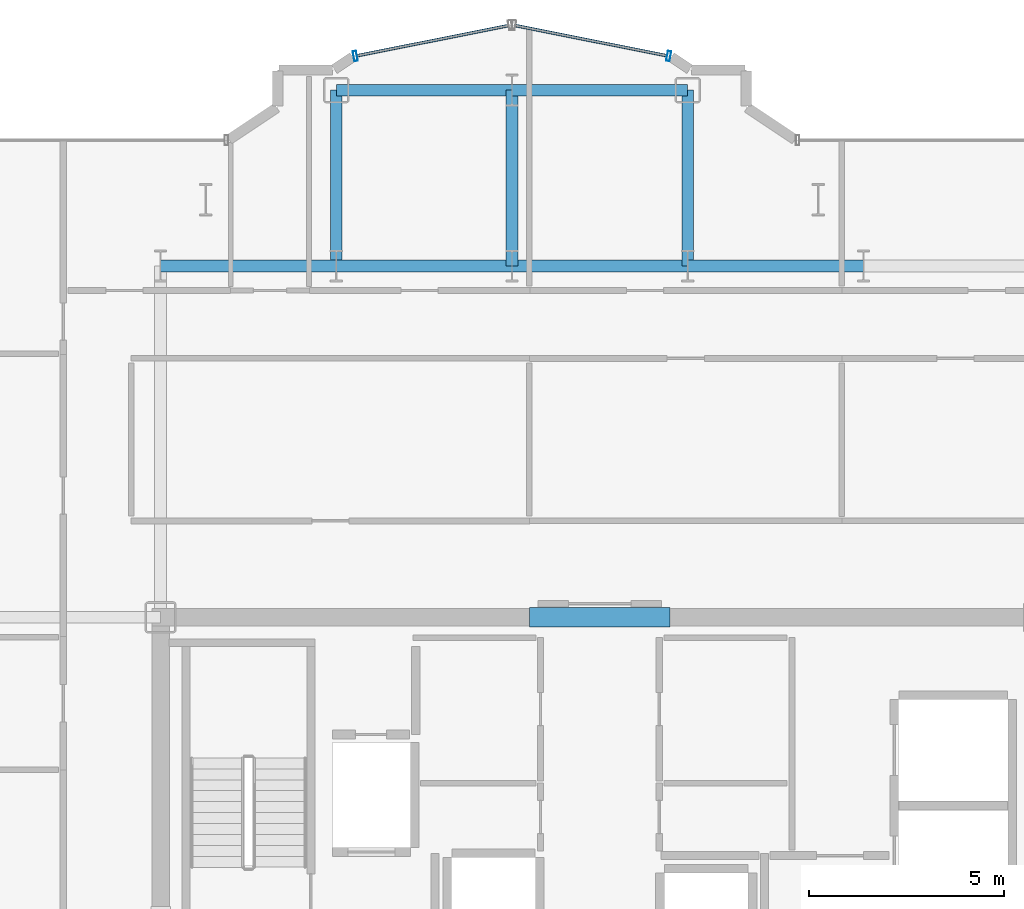
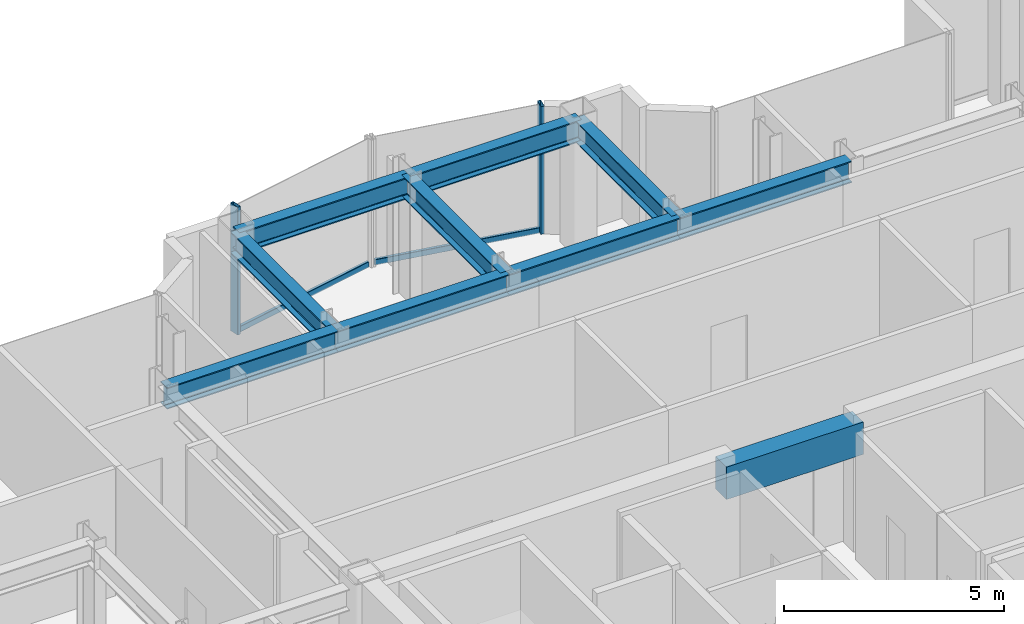
# One storey, part 9 of 20: 10 beams, 4 members, 2 elements without a shape of their own.
"""IFC4 building model written with IfcOpenShell, lengths in metres."""

from ifc_helpers import new_model, si_unit, direction, frame, origin, origin_2d, place, context, subcontext, project, spatial, rectangle, hollow_rectangle, i_section, extrude, source, transform, mapped, material, layer, layer_set, material_profile, profile_set, type_object, element, aggregate, save


model = new_model("IFC4")

# Units and contexts
model_context = context("Model", 3, precision=1e-05, world=origin(), true_north=direction((0.0, 1.0)))
body_context = subcontext(model_context, "Body", "Model", "MODEL_VIEW")
ifc_project = project(units=[si_unit("LENGTHUNIT", "METRE"), si_unit("AREAUNIT", "SQUARE_METRE"), si_unit("VOLUMEUNIT", "CUBIC_METRE"), si_unit("PLANEANGLEUNIT", "RADIAN"), si_unit("MASSUNIT", "GRAM", prefix="KILO")], contexts=[model_context])

# Site, building, storey
site_placement = place(None, origin())
site = spatial("IfcSite", under=ifc_project, at=site_placement, CompositionType="ELEMENT")
building_placement = place(site_placement, origin())
building = spatial("IfcBuilding", under=site, at=building_placement, Name="Nefas-Gora Pilgrimage Tower", CompositionType="ELEMENT")
storey_placement = place(building_placement, frame((0.0, 0.0, 237.0)))
storey = spatial("IfcBuildingStorey", under=building, at=storey_placement, Name="L59", CompositionType="ELEMENT", Elevation=237.0)

# Beams
ifc_material_1 = material(Name="Concrete C50/60", Category="concrete")
ifc_material_profile_1 = material_profile(ifc_material_1, rectangle(XDim=0.5, YDim=0.89990234375, at=origin_2d()), Name="RC 500x900")
ifc_profile_set_1 = profile_set([ifc_material_profile_1], Name="Concrete C50/60")
beam_type_1 = type_object("IfcBeamType", Name="BM-LIN-RC900", PredefinedType="LINTEL", material=ifc_profile_set_1)
shared_shape_1 = source(origin(), body_context, "Body", "SweptSolid", [
    extrude(rectangle(XDim=0.5, YDim=0.89990234375, at=origin_2d()), origin(), (0.0, 0.0, 1.0), 3.60009765625),
])
beam_placement = place(storey_placement, frame((-1.800048828125, 9.0, 3.10009765625), z_axis=(1.0, 0.0, 0.0), x_axis=(0.0, 1.0, 0.0)))
element("IfcBeam", 1, at=beam_placement, inside=storey, type_object=beam_type_1, Name="L59 Core Coupling Lintel Beam N", PredefinedType="LINTEL", context=body_context, shape_type="MappedRepresentation", body=[
    mapped(shared_shape_1, transform((0.0, 0.0, 0.0), x_axis=(1.0, 0.0, 0.0), y_axis=(0.0, 1.0, 0.0), z_axis=(0.0, 0.0, 1.0), scale=1.0)),
])
ifc_material_2 = material(Name="Steel S355", Category="steel")
ifc_material_profile_2 = material_profile(ifc_material_2, i_section(OverallWidth=0.300048828125, OverallDepth=0.60009765625, WebThickness=0.015380859375, FlangeThickness=0.030029296875, FilletRadius=0.027099609375, at=origin_2d()), Name="HEB 600")
ifc_profile_set_2 = profile_set([ifc_material_profile_2], Name="Steel S355")
beam_type_2 = type_object("IfcBeamType", Name="BM-GIR-HEB600", PredefinedType="BEAM", material=ifc_profile_set_2)
shared_shape_2 = source(origin(), body_context, "Body", "SweptSolid", [
    extrude(i_section(OverallWidth=0.300048828125, OverallDepth=0.60009765625, WebThickness=0.015380859375, FlangeThickness=0.030029296875, FilletRadius=0.027099609375, at=origin_2d()), origin(), (0.0, 0.0, 1.0), 4.5),
])
for number, where, z_axis, x_axis, name in (
    (2, (-11.25, 18.0, 3.25), (1.0, 0.0, 0.0), (0.0, 1.0, 0.0), "L59 G-04 beam"),
    (3, (-6.75, 18.0, 3.25), (0.0, 1.0, 0.0), (-1.0, 0.0, 0.0), "L59 G-04 beam"),
    (4, (-6.75, 18.0, 3.25), (1.0, 0.0, 0.0), (0.0, 1.0, 0.0), "L59 G-04 beam"),
    (5, (-6.75, 22.5, 3.25), (1.0, 0.0, 0.0), (0.0, 1.0, 0.0), "L59 G-04 beam"),
    (6, (-2.25, 18.0, 3.25), (0.0, 1.0, 0.0), (-1.0, 0.0, 0.0), "L59 G-04 beam"),
    (7, (-2.25, 18.0, 3.25), (1.0, 0.0, 0.0), (0.0, 1.0, 0.0), "L59 G-04 beam"),
    (8, (-2.25, 22.5, 3.25), (1.0, 0.0, 0.0), (0.0, 1.0, 0.0), "L59 G-04 beam"),
    (9, (2.25, 18.0, 3.25), (0.0, 1.0, 0.0), (-1.0, 0.0, 0.0), "L59 G-04 beam"),
    (10, (2.25, 18.0, 3.25), (1.0, 0.0, 0.0), (0.0, 1.0, 0.0), "L59 G-04 beam"),
):
    element("IfcBeam", number, at=place(storey_placement, frame(where, z_axis=z_axis, x_axis=x_axis)), inside=storey, type_object=beam_type_2, Name=name, PredefinedType="BEAM", context=body_context, shape_type="MappedRepresentation", body=[
        mapped(shared_shape_2, transform((0.0, 0.0, 0.0), x_axis=(1.0, 0.0, 0.0), y_axis=(0.0, 1.0, 0.0), z_axis=(0.0, 0.0, 1.0), scale=1.0)),
    ])

# Curtain wall, member
ifc_material_3 = material(Name="Dark ceramic-fritted solar-control aluminium-glass curtain wall", Category="aluminium")
ifc_layer = layer(ifc_material_3, 0.219970703125)
ifc_layer_set = layer_set([ifc_layer], Name="Dark ceramic-fritted solar-control aluminium-glass curtain wall")
curtain_wall_type = type_object("IfcCurtainWallType", Name="CW-SYS-5", PredefinedType="NOTDEFINED", material=ifc_layer_set)
curtain_wall_1_placement = place(storey_placement, origin())
curtain_wall_1 = element("IfcCurtainWall", 11, at=curtain_wall_1_placement, inside=storey, type_object=curtain_wall_type, Name="L59 Unitised Curtain Wall CW5", PredefinedType="NOTDEFINED")
ifc_material_4 = material(Name="Anodised architectural aluminium", Category="aluminium")
ifc_material_profile_3 = material_profile(ifc_material_4, hollow_rectangle(XDim=0.090087890625, YDim=0.260009765625, WallThickness=0.006103515625, InnerFilletRadius=0.006103515625, OuterFilletRadius=0.011962890625, at=origin_2d()), Name="ALU MULLION 90x260")
ifc_profile_set_3 = profile_set([ifc_material_profile_3], Name="Anodised architectural aluminium")
member_type_1 = type_object("IfcMemberType", Name="CWM-MUL-5", PredefinedType="MULLION", material=ifc_profile_set_3)
shared_shape_3 = source(origin(), body_context, "Body", "SweptSolid", [
    extrude(hollow_rectangle(XDim=0.090087890625, YDim=0.260009765625, WallThickness=0.006103515625, InnerFilletRadius=0.006103515625, OuterFilletRadius=0.011962890625, at=origin_2d()), origin(), (0.0, 0.0, 1.0), 3.550048828125),
])
member_1_placement = place(storey_placement, frame((1.76318359375, 23.3740234375, 0.0), z_axis=(0.0, 0.0, 1.0), x_axis=(-0.980782896852, 0.195102304554, 0.0)))
member_1 = element("IfcMember", 12, at=member_1_placement, type_object=member_type_1, Name="CW5 Mullion 1", PredefinedType="MULLION", context=body_context, shape_type="MappedRepresentation", body=[
    mapped(shared_shape_3, transform((0.0, 0.0, 0.0), x_axis=(1.0, 0.0, 0.0), y_axis=(0.0, 1.0, 0.0), z_axis=(0.0, 0.0, 1.0), scale=1.0)),
])

curtain_wall_2_placement = place(storey_placement, origin())
curtain_wall_2 = element("IfcCurtainWall", 13, at=curtain_wall_2_placement, inside=storey, type_object=curtain_wall_type, Name="L59 Unitised Curtain Wall CW5", PredefinedType="NOTDEFINED")
member_2_placement = place(storey_placement, frame((-6.26318359375, 23.3740234375, 0.0), z_axis=(0.0, 0.0, 1.0), x_axis=(-0.980782896852, -0.195102304554, 0.0)))
member_2 = element("IfcMember", 14, at=member_2_placement, type_object=member_type_1, Name="CW5 Mullion 2", PredefinedType="MULLION", context=body_context, shape_type="MappedRepresentation", body=[
    mapped(shared_shape_3, transform((0.0, 0.0, 0.0), x_axis=(1.0, 0.0, 0.0), y_axis=(0.0, 1.0, 0.0), z_axis=(0.0, 0.0, 1.0), scale=1.0)),
])

# Member
ifc_material_profile_4 = material_profile(ifc_material_4, hollow_rectangle(XDim=0.080078125, YDim=0.159912109375, WallThickness=0.00439453125, InnerFilletRadius=0.00439453125, OuterFilletRadius=0.009033203125, at=origin_2d()), Name="ALU TRANSOM 80x160")
ifc_profile_set_4 = profile_set([ifc_material_profile_4], Name="Anodised architectural aluminium")
member_type_2 = type_object("IfcMemberType", Name="CWM-TRN-5", PredefinedType="USERDEFINED", material=ifc_profile_set_4)
shared_shape_4 = source(origin(), body_context, "Body", "SweptSolid", [
    extrude(hollow_rectangle(XDim=0.080078125, YDim=0.159912109375, WallThickness=0.00439453125, InnerFilletRadius=0.00439453125, OuterFilletRadius=0.009033203125, at=origin_2d()), origin(), (0.0, 0.0, 1.0), 3.95654296875),
])
member_3_placement = place(storey_placement, frame((1.718994140625, 23.3828125, 0.050048828125), z_axis=(-0.980781880918, 0.195107411605, 0.0), x_axis=(-0.195107411605, -0.980781880918, 0.0)))
member_3 = element("IfcMember", 15, at=member_3_placement, type_object=member_type_2, Name="CW5 Spandrel Transom", ObjectType="TRANSOM", PredefinedType="USERDEFINED", context=body_context, shape_type="MappedRepresentation", body=[
    mapped(shared_shape_4, transform((0.0, 0.0, 0.0), x_axis=(1.0, 0.0, 0.0), y_axis=(0.0, 1.0, 0.0), z_axis=(0.0, 0.0, 1.0), scale=1.0)),
])

aggregate(curtain_wall_1, [member_1, member_3])

member_4_placement = place(storey_placement, frame((-2.33837890625, 24.15478515625, 0.050048828125), z_axis=(-0.980781880918, -0.195107411605, 0.0), x_axis=(0.195107411605, -0.980781880918, 0.0)))
member_4 = element("IfcMember", 16, at=member_4_placement, type_object=member_type_2, Name="CW5 Spandrel Transom", ObjectType="TRANSOM", PredefinedType="USERDEFINED", context=body_context, shape_type="MappedRepresentation", body=[
    mapped(shared_shape_4, transform((0.0, 0.0, 0.0), x_axis=(1.0, 0.0, 0.0), y_axis=(0.0, 1.0, 0.0), z_axis=(0.0, 0.0, 1.0), scale=1.0)),
])

aggregate(curtain_wall_2, [member_2, member_4])

save(model, "model.ifc")
